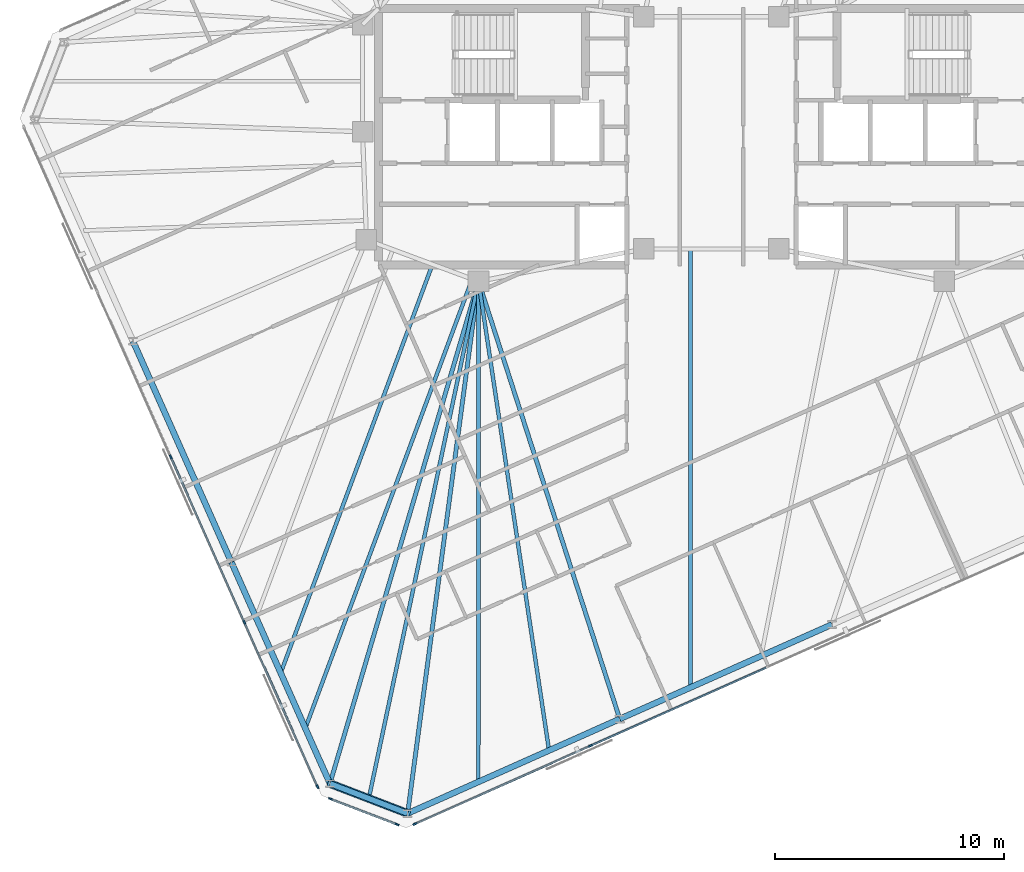
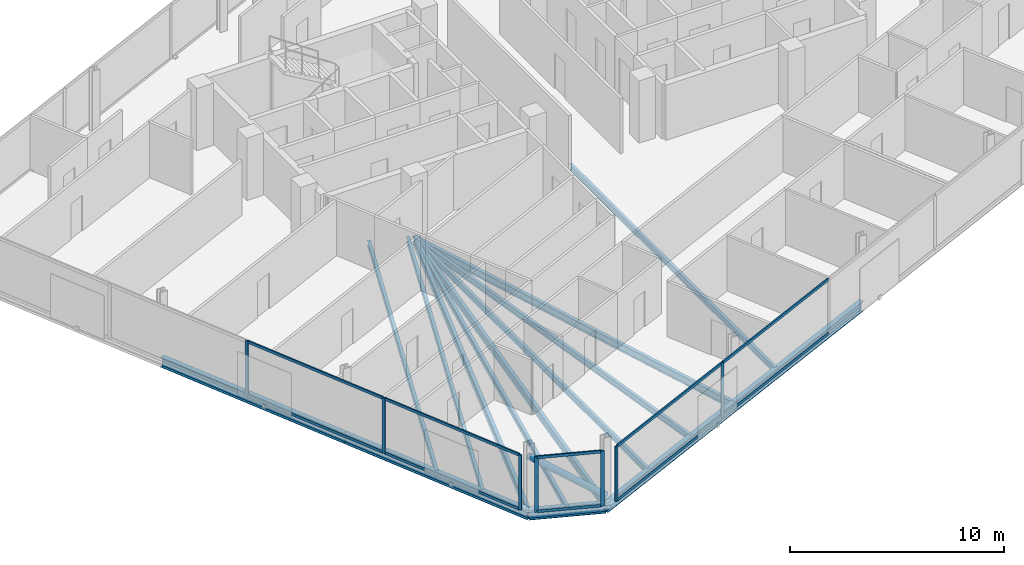
# One storey, part 5 of 19: 18 members, 14 beams, 3 elements without a shape of their own.
"""IFC4 building model written with IfcOpenShell, lengths in metres."""

from ifc_helpers import new_model, si_unit, direction, frame, origin, origin_2d, place, context, subcontext, project, spatial, rectangle, hollow_circle, i_section, extrude, material, material_profile, profile_set, type_object, element, aggregate, save


model = new_model("IFC4")

# Units and contexts
model_context = context("Model", 3, precision=1e-05, world=origin(), true_north=direction((0.0, 1.0)))
body_context = subcontext(model_context, "Body", "Model", "MODEL_VIEW")
ifc_project = project(units=[si_unit("LENGTHUNIT", "METRE"), si_unit("AREAUNIT", "SQUARE_METRE"), si_unit("VOLUMEUNIT", "CUBIC_METRE"), si_unit("PLANEANGLEUNIT", "RADIAN"), si_unit("MASSUNIT", "GRAM", prefix="KILO")], contexts=[model_context])

# Site, building, storey
site_placement = place(None, origin())
site = spatial("IfcSite", under=ifc_project, at=site_placement, CompositionType="ELEMENT")
building_placement = place(site_placement, origin())
building = spatial("IfcBuilding", under=site, at=building_placement, Name="Menara Jurai Vektor", CompositionType="ELEMENT")
storey_placement = place(building_placement, frame((0.0, 0.0, 302.0)))
storey = spatial("IfcBuildingStorey", under=building, at=storey_placement, Name="L81", CompositionType="ELEMENT", Elevation=302.0)

# Curtain wall, members
ifc_material_1 = material(Name="Anodised Pale Aluminium & Low-E Double Glazing", Category="aluminium")
curtain_wall_type = type_object("IfcCurtainWallType", Name="CW-BLK5", PredefinedType="NOTDEFINED", material=ifc_material_1)
curtain_wall_1_placement = place(storey_placement, origin())
curtain_wall_1 = element("IfcCurtainWall", 1, at=curtain_wall_1_placement, inside=storey, type_object=curtain_wall_type, Name="Unitised Curtain Wall L81 F01", PredefinedType="NOTDEFINED")
ifc_material_2 = material(Name="Anodised Pale Aluminium Mullion", Category="aluminium")
ifc_material_profile_1 = material_profile(ifc_material_2, rectangle(XDim=0.074951171875, YDim=0.175048828125, at=origin_2d()), Name="ALU MUL 75x175")
ifc_profile_set_1 = profile_set([ifc_material_profile_1], Name="Anodised Pale Aluminium Mullion")
member_type_1 = type_object("IfcMemberType", Name="CW-BLK5-MUL", PredefinedType="MULLION", material=ifc_profile_set_1)
member_1_placement = place(storey_placement, frame((-12.96875, -30.04052734375, 0.0), z_axis=(0.0, 0.0, 1.0), x_axis=(-0.406735498684, 0.913545967158, 0.0)))
member_1 = element("IfcMember", 2, at=member_1_placement, type_object=member_type_1, Name="CW-05 mullion 1", PredefinedType="MULLION", context=body_context, shape_type="SweptSolid", body=[
    extrude(rectangle(XDim=0.074951171875, YDim=0.175048828125, at=origin_2d()), origin(), (0.0, 0.0, 1.0), 3.14501953125),
])
member_2_placement = place(storey_placement, frame((-5.292724609375, -26.623046875, 0.0), z_axis=(0.0, 0.0, 1.0), x_axis=(-0.406735498684, 0.913545967158, 0.0)))
member_2 = element("IfcMember", 3, at=member_2_placement, type_object=member_type_1, Name="CW-05 mullion 2", PredefinedType="MULLION", context=body_context, shape_type="SweptSolid", body=[
    extrude(rectangle(XDim=0.074951171875, YDim=0.175048828125, at=origin_2d()), origin(), (0.0, 0.0, 1.0), 3.14501953125),
])

curtain_wall_2_placement = place(storey_placement, origin())
curtain_wall_2 = element("IfcCurtainWall", 4, at=curtain_wall_2_placement, inside=storey, type_object=curtain_wall_type, Name="Unitised Curtain Wall L81 F07", PredefinedType="NOTDEFINED")
member_3_placement = place(storey_placement, frame((-23.635986328125, -13.991943359375, 0.0), z_axis=(0.0, 0.0, 1.0), x_axis=(0.913546127706, 0.406735138086, 0.0)))
member_3 = element("IfcMember", 5, at=member_3_placement, type_object=member_type_1, Name="CW-05 mullion 3", PredefinedType="MULLION", context=body_context, shape_type="SweptSolid", body=[
    extrude(rectangle(XDim=0.074951171875, YDim=0.175048828125, at=origin_2d()), origin(), (0.0, 0.0, 1.0), 3.14501953125),
])
member_4_placement = place(storey_placement, frame((-20.418701171875, -21.21826171875, 0.0), z_axis=(0.0, 0.0, 1.0), x_axis=(0.913546127706, 0.406735138086, 0.0)))
member_4 = element("IfcMember", 6, at=member_4_placement, type_object=member_type_1, Name="CW-05 mullion 4", PredefinedType="MULLION", context=body_context, shape_type="SweptSolid", body=[
    extrude(rectangle(XDim=0.074951171875, YDim=0.175048828125, at=origin_2d()), origin(), (0.0, 0.0, 1.0), 3.14501953125),
])
member_5_placement = place(storey_placement, frame((-17.216796875, -28.41015625, 0.0), z_axis=(0.0, 0.0, 1.0), x_axis=(0.913546127706, 0.406735138086, 0.0)))
member_5 = element("IfcMember", 7, at=member_5_placement, type_object=member_type_1, Name="CW-05 mullion 5", PredefinedType="MULLION", context=body_context, shape_type="SweptSolid", body=[
    extrude(rectangle(XDim=0.074951171875, YDim=0.175048828125, at=origin_2d()), origin(), (0.0, 0.0, 1.0), 3.14501953125),
])

curtain_wall_3_placement = place(storey_placement, origin())
curtain_wall_3 = element("IfcCurtainWall", 8, at=curtain_wall_3_placement, inside=storey, type_object=curtain_wall_type, Name="Unitised Curtain Wall L81 F08", PredefinedType="NOTDEFINED")
member_6_placement = place(storey_placement, frame((-16.656982421875, -28.94091796875, 0.0), z_axis=(0.0, 0.0, 1.0), x_axis=(0.358373766287, 0.933578193639, 0.0)))
member_6 = element("IfcMember", 9, at=member_6_placement, type_object=member_type_1, Name="CW-05 mullion 1", PredefinedType="MULLION", context=body_context, shape_type="SweptSolid", body=[
    extrude(rectangle(XDim=0.074951171875, YDim=0.175048828125, at=origin_2d()), origin(), (0.0, 0.0, 1.0), 3.14501953125),
])
member_7_placement = place(storey_placement, frame((-13.739990234375, -30.060791015625, 0.0), z_axis=(0.0, 0.0, 1.0), x_axis=(0.358373766287, 0.933578193639, 0.0)))
member_7 = element("IfcMember", 10, at=member_7_placement, type_object=member_type_1, Name="CW-05 mullion 2", PredefinedType="MULLION", context=body_context, shape_type="SweptSolid", body=[
    extrude(rectangle(XDim=0.074951171875, YDim=0.175048828125, at=origin_2d()), origin(), (0.0, 0.0, 1.0), 3.14501953125),
])

# Member
ifc_material_3 = material(Name="Anodised Pale Aluminium Transom", Category="aluminium")
ifc_material_profile_2 = material_profile(ifc_material_3, rectangle(XDim=0.074951171875, YDim=0.155029296875, at=origin_2d()), Name="ALU TRN 75x155")
ifc_profile_set_2 = profile_set([ifc_material_profile_2], Name="Anodised Pale Aluminium Transom")
member_type_2 = type_object("IfcMemberType", Name="CW-BLK5-TRN", PredefinedType="USERDEFINED", material=ifc_profile_set_2)
member_8_placement = place(storey_placement, frame((-12.9345703125, -30.025390625, 0.03759765625), z_axis=(0.913542963736, 0.406742244436, 0.0), x_axis=(-0.406742244436, 0.913542963736, 0.0)))
member_8 = element("IfcMember", 11, at=member_8_placement, type_object=member_type_2, Name="CW-05 transom 1.1", ObjectType="TRANSOM", PredefinedType="USERDEFINED", context=body_context, shape_type="SweptSolid", body=[
    extrude(rectangle(XDim=0.074951171875, YDim=0.155029296875, at=origin_2d()), origin(), (0.0, 0.0, 1.0), 8.32763671875),
])

member_9_placement = place(storey_placement, frame((-12.9345703125, -30.025390625, 3.107421875), z_axis=(0.913542963736, 0.406742244436, 0.0), x_axis=(-0.406742244436, 0.913542963736, 0.0)))
member_9 = element("IfcMember", 12, at=member_9_placement, type_object=member_type_2, Name="CW-05 transom 1.2", ObjectType="TRANSOM", PredefinedType="USERDEFINED", context=body_context, shape_type="SweptSolid", body=[
    extrude(rectangle(XDim=0.074951171875, YDim=0.155029296875, at=origin_2d()), origin(), (0.0, 0.0, 1.0), 8.32763671875),
])

member_10_placement = place(storey_placement, frame((-5.25830078125, -26.60791015625, 0.03759765625), z_axis=(0.913541747007, 0.406744977198, 0.0), x_axis=(-0.406744977198, 0.913541747007, 0.0)))
member_10 = element("IfcMember", 13, at=member_10_placement, type_object=member_type_2, Name="CW-05 transom 2.1", ObjectType="TRANSOM", PredefinedType="USERDEFINED", context=body_context, shape_type="SweptSolid", body=[
    extrude(rectangle(XDim=0.074951171875, YDim=0.155029296875, at=origin_2d()), origin(), (0.0, 0.0, 1.0), 8.36474609375),
])

member_11_placement = place(storey_placement, frame((-5.25830078125, -26.60791015625, 3.107421875), z_axis=(0.913541747007, 0.406744977198, 0.0), x_axis=(-0.406744977198, 0.913541747007, 0.0)))
member_11 = element("IfcMember", 14, at=member_11_placement, type_object=member_type_2, Name="CW-05 transom 2.2", ObjectType="TRANSOM", PredefinedType="USERDEFINED", context=body_context, shape_type="SweptSolid", body=[
    extrude(rectangle(XDim=0.074951171875, YDim=0.155029296875, at=origin_2d()), origin(), (0.0, 0.0, 1.0), 8.36474609375),
])

aggregate(curtain_wall_1, [member_1, member_2, member_8, member_9, member_10, member_11])

member_12_placement = place(storey_placement, frame((-23.620849609375, -14.0263671875, 0.03759765625), z_axis=(0.40674264085, -0.913542787238, 0.0), x_axis=(0.913542787238, 0.40674264085, 0.0)))
member_12 = element("IfcMember", 15, at=member_12_placement, type_object=member_type_2, Name="CW-05 transom 3.1", ObjectType="TRANSOM", PredefinedType="USERDEFINED", context=body_context, shape_type="SweptSolid", body=[
    extrude(rectangle(XDim=0.074951171875, YDim=0.155029296875, at=origin_2d()), origin(), (0.0, 0.0, 1.0), 7.8349609375),
])

member_13_placement = place(storey_placement, frame((-23.620849609375, -14.0263671875, 3.107421875), z_axis=(0.40674264085, -0.913542787238, 0.0), x_axis=(0.913542787238, 0.40674264085, 0.0)))
member_13 = element("IfcMember", 16, at=member_13_placement, type_object=member_type_2, Name="CW-05 transom 3.2", ObjectType="TRANSOM", PredefinedType="USERDEFINED", context=body_context, shape_type="SweptSolid", body=[
    extrude(rectangle(XDim=0.074951171875, YDim=0.155029296875, at=origin_2d()), origin(), (0.0, 0.0, 1.0), 7.8349609375),
])

member_14_placement = place(storey_placement, frame((-20.403564453125, -21.25244140625, 0.03759765625), z_axis=(0.406751345283, -0.913538911656, 0.0), x_axis=(0.913538911656, 0.406751345283, 0.0)))
member_14 = element("IfcMember", 17, at=member_14_placement, type_object=member_type_2, Name="CW-05 transom 4.1", ObjectType="TRANSOM", PredefinedType="USERDEFINED", context=body_context, shape_type="SweptSolid", body=[
    extrude(rectangle(XDim=0.074951171875, YDim=0.155029296875, at=origin_2d()), origin(), (0.0, 0.0, 1.0), 7.79736328125),
])

member_15_placement = place(storey_placement, frame((-20.403564453125, -21.25244140625, 3.107421875), z_axis=(0.406751345283, -0.913538911656, 0.0), x_axis=(0.913538911656, 0.406751345283, 0.0)))
member_15 = element("IfcMember", 18, at=member_15_placement, type_object=member_type_2, Name="CW-05 transom 4.2", ObjectType="TRANSOM", PredefinedType="USERDEFINED", context=body_context, shape_type="SweptSolid", body=[
    extrude(rectangle(XDim=0.074951171875, YDim=0.155029296875, at=origin_2d()), origin(), (0.0, 0.0, 1.0), 7.79736328125),
])

aggregate(curtain_wall_2, [member_3, member_4, member_5, member_12, member_13, member_14, member_15])

member_16_placement = place(storey_placement, frame((-16.6220703125, -28.95458984375, 0.03759765625), z_axis=(0.933597094911, -0.358324523823, 0.0), x_axis=(0.358324523823, 0.933597094911, 0.0)))
member_16 = element("IfcMember", 19, at=member_16_placement, type_object=member_type_2, Name="CW-05 transom 1.1", ObjectType="TRANSOM", PredefinedType="USERDEFINED", context=body_context, shape_type="SweptSolid", body=[
    extrude(rectangle(XDim=0.074951171875, YDim=0.155029296875, at=origin_2d()), origin(), (0.0, 0.0, 1.0), 3.049560546875),
])

member_17_placement = place(storey_placement, frame((-16.6220703125, -28.95458984375, 3.107421875), z_axis=(0.933597094911, -0.358324523823, 0.0), x_axis=(0.358324523823, 0.933597094911, 0.0)))
member_17 = element("IfcMember", 20, at=member_17_placement, type_object=member_type_2, Name="CW-05 transom 1.2", ObjectType="TRANSOM", PredefinedType="USERDEFINED", context=body_context, shape_type="SweptSolid", body=[
    extrude(rectangle(XDim=0.074951171875, YDim=0.155029296875, at=origin_2d()), origin(), (0.0, 0.0, 1.0), 3.049560546875),
])

aggregate(curtain_wall_3, [member_6, member_7, member_16, member_17])

# Beams
ifc_material_4 = material(Name="Steel S355", Category="steel")
ifc_material_profile_3 = material_profile(ifc_material_4, i_section(OverallWidth=0.18505859375, OverallDepth=0.429931640625, WebThickness=0.010986328125, FlangeThickness=0.01806640625, at=origin_2d()), Name="PG 430x185x76")
ifc_profile_set_3 = profile_set([ifc_material_profile_3], Name="Steel S355")
beam_type_1 = type_object("IfcBeamType", Name="STR-BM-430", PredefinedType="BEAM", material=ifc_profile_set_3)
beam_1_placement = place(storey_placement, frame((-13.279541015625, -29.576904296875, -0.43994140625), z_axis=(0.132109192855, 0.991235169454, 0.0), x_axis=(-0.991235169454, 0.132109192855, 0.0)))
element("IfcBeam", 21, at=beam_1_placement, inside=storey, type_object=beam_type_1, Name="Radial Floor Girder L81-S1", PredefinedType="BEAM", context=body_context, shape_type="SweptSolid", body=[
    extrude(i_section(OverallWidth=0.18505859375, OverallDepth=0.429931640625, WebThickness=0.010986328125, FlangeThickness=0.01806640625, at=origin_2d()), origin(), (0.0, 0.0, 1.0), 23.46240234375),
])
beam_2_placement = place(storey_placement, frame((-4.006103515625, -25.4482421875, -0.43994140625), z_axis=(-0.307158217721, 0.95165846252, 0.0), x_axis=(-0.95165846252, -0.307158217721, 0.0)))
element("IfcBeam", 22, at=beam_2_placement, inside=storey, type_object=beam_type_1, Name="Radial Floor Girder L81-S2", PredefinedType="BEAM", context=body_context, shape_type="SweptSolid", body=[
    extrude(i_section(OverallWidth=0.18505859375, OverallDepth=0.429931640625, WebThickness=0.010986328125, FlangeThickness=0.01806640625, at=origin_2d()), origin(), (0.0, 0.0, 1.0), 20.099853515625),
])
beam_3_placement = place(storey_placement, frame((-16.675537109375, -28.2734375, -0.43994140625), z_axis=(0.283723047838, 0.958906268686, 0.0), x_axis=(-0.958906268686, 0.283723047838, 0.0)))
element("IfcBeam", 23, at=beam_3_placement, inside=storey, type_object=beam_type_1, Name="Radial Floor Girder L81-W4", PredefinedType="BEAM", context=body_context, shape_type="SweptSolid", body=[
    extrude(i_section(OverallWidth=0.18505859375, OverallDepth=0.429931640625, WebThickness=0.010986328125, FlangeThickness=0.01806640625, at=origin_2d()), origin(), (0.0, 0.0, 1.0), 22.894287109375),
])

# Member
ifc_material_5 = material(Name="Steel S460", Category="steel")
ifc_material_profile_4 = material_profile(ifc_material_5, hollow_circle(Radius=0.177734375, WallThickness=0.01611328125, at=origin_2d()), Name="CHS 355.6x16")
ifc_profile_set_4 = profile_set([ifc_material_profile_4], Name="Steel S460")
member_type_3 = type_object("IfcMemberType", Name="STR-BR-356", PredefinedType="BRACE", material=ifc_profile_set_4)
member_18_placement = place(storey_placement, frame((-13.279541015625, -29.576904296875, 0.14990234375), z_axis=(-0.755077129754, 0.289817167201, 0.588102489127), x_axis=(-0.358335850414, -0.933592747566, 0.0)))
element("IfcMember", 24, at=member_18_placement, inside=storey, type_object=member_type_3, Name="Exoskeleton Corner Brace L81-4", PredefinedType="BRACE", context=body_context, shape_type="SweptSolid", body=[
    extrude(hollow_circle(Radius=0.177734375, WallThickness=0.01611328125, at=origin_2d()), origin(), (0.0, 0.0, 1.0), 4.49755859375),
])

# Beams
ifc_material_profile_5 = material_profile(ifc_material_4, i_section(OverallWidth=0.1650390625, OverallDepth=0.330078125, WebThickness=0.009033203125, FlangeThickness=0.013916015625, at=origin_2d()), Name="PG 330x165x46")
ifc_profile_set_5 = profile_set([ifc_material_profile_5], Name="Steel S355")
beam_type_2 = type_object("IfcBeamType", Name="STR-JS-330", PredefinedType="JOIST", material=ifc_profile_set_5)
beam_4_placement = place(storey_placement, frame((-10.188232421875, -28.20068359375, -0.389892578125), z_axis=(0.000379366876, 0.99999992804, 0.0), x_axis=(-0.99999992804, 0.000379366876, 0.0)))
element("IfcBeam", 25, at=beam_4_placement, inside=storey, type_object=beam_type_2, Name="Radial Secondary Floor Joist L81-JS01", PredefinedType="JOIST", context=body_context, shape_type="SweptSolid", body=[
    extrude(i_section(OverallWidth=0.1650390625, OverallDepth=0.330078125, WebThickness=0.009033203125, FlangeThickness=0.013916015625, at=origin_2d()), origin(), (0.0, 0.0, 1.0), 21.880615234375),
])
beam_5_placement = place(storey_placement, frame((-7.09716796875, -26.824462890625, -0.389892578125), z_axis=(-0.148675540239, 0.988886031722, 0.0), x_axis=(-0.988886031722, -0.148675540239, 0.0)))
element("IfcBeam", 26, at=beam_5_placement, inside=storey, type_object=beam_type_2, Name="Radial Secondary Floor Joist L81-JS02", PredefinedType="JOIST", context=body_context, shape_type="SweptSolid", body=[
    extrude(i_section(OverallWidth=0.1650390625, OverallDepth=0.330078125, WebThickness=0.009033203125, FlangeThickness=0.013916015625, at=origin_2d()), origin(), (0.0, 0.0, 1.0), 20.73486328125),
])
beam_6_placement = place(storey_placement, frame((-0.914794921875, -24.072021484375, -0.389892578125), z_axis=(0.0, 1.0, 0.0), x_axis=(-1.0, 0.0, 0.0)))
element("IfcBeam", 27, at=beam_6_placement, inside=storey, type_object=beam_type_2, Name="Radial Secondary Floor Joist L81-JS03", PredefinedType="JOIST", context=body_context, shape_type="SweptSolid", body=[
    extrude(i_section(OverallWidth=0.1650390625, OverallDepth=0.330078125, WebThickness=0.009033203125, FlangeThickness=0.013916015625, at=origin_2d()), origin(), (0.0, 0.0, 1.0), 19.172119140625),
])
beam_7_placement = place(storey_placement, frame((-18.828125, -23.4384765625, -0.389892578125), z_axis=(0.348177845571, 0.937428497462, 0.0), x_axis=(-0.937428497462, 0.348177845571, 0.0)))
element("IfcBeam", 28, at=beam_7_placement, inside=storey, type_object=beam_type_2, Name="Radial Secondary Floor Joist L81-JS29", PredefinedType="JOIST", context=body_context, shape_type="SweptSolid", body=[
    extrude(i_section(OverallWidth=0.1650390625, OverallDepth=0.330078125, WebThickness=0.009033203125, FlangeThickness=0.013916015625, at=origin_2d()), origin(), (0.0, 0.0, 1.0), 19.05859375),
])
beam_8_placement = place(storey_placement, frame((-17.751953125, -25.85595703125, -0.389892578125), z_axis=(0.348185651823, 0.937425598042, 0.0), x_axis=(-0.937425598042, 0.348185651823, 0.0)))
element("IfcBeam", 29, at=beam_8_placement, inside=storey, type_object=beam_type_2, Name="Radial Secondary Floor Joist L81-JS30", PredefinedType="JOIST", context=body_context, shape_type="SweptSolid", body=[
    extrude(i_section(OverallWidth=0.1650390625, OverallDepth=0.330078125, WebThickness=0.009033203125, FlangeThickness=0.013916015625, at=origin_2d()), origin(), (0.0, 0.0, 1.0), 20.949951171875),
])
beam_9_placement = place(storey_placement, frame((-14.9775390625, -28.92529296875, -0.389892578125), z_axis=(0.207610208592, 0.978211634202, 0.0), x_axis=(-0.978211634202, 0.207610208592, 0.0)))
element("IfcBeam", 30, at=beam_9_placement, inside=storey, type_object=beam_type_2, Name="Radial Secondary Floor Joist L81-JS31", PredefinedType="JOIST", context=body_context, shape_type="SweptSolid", body=[
    extrude(i_section(OverallWidth=0.1650390625, OverallDepth=0.330078125, WebThickness=0.009033203125, FlangeThickness=0.013916015625, at=origin_2d()), origin(), (0.0, 0.0, 1.0), 23.108642578125),
])
ifc_material_profile_6 = material_profile(ifc_material_4, i_section(OverallWidth=0.260009765625, OverallDepth=0.570068359375, WebThickness=0.013916015625, FlangeThickness=0.02392578125, at=origin_2d()), Name="PG 570x260x145")
ifc_profile_set_6 = profile_set([ifc_material_profile_6], Name="Steel S355")
beam_type_3 = type_object("IfcBeamType", Name="STR-SP-570", PredefinedType="SPANDREL", material=ifc_profile_set_6)
beam_10_placement = place(storey_placement, frame((-13.279541015625, -29.576904296875, -0.510009765625), z_axis=(0.913550519143, 0.406725274569, 0.0), x_axis=(-0.406725274569, 0.913550519143, 0.0)))
element("IfcBeam", 31, at=beam_10_placement, inside=storey, type_object=beam_type_3, Name="Exoskeleton Spandrel Beam L81-01", PredefinedType="SPANDREL", context=body_context, shape_type="SweptSolid", body=[
    extrude(i_section(OverallWidth=0.260009765625, OverallDepth=0.570068359375, WebThickness=0.013916015625, FlangeThickness=0.02392578125, at=origin_2d()), origin(), (0.0, 0.0, 1.0), 10.15087890625),
])
beam_11_placement = place(storey_placement, frame((-4.006103515625, -25.4482421875, -0.510009765625), z_axis=(0.913545561407, 0.406736410017, 0.0), x_axis=(-0.406736410017, 0.913545561407, 0.0)))
element("IfcBeam", 32, at=beam_11_placement, inside=storey, type_object=beam_type_3, Name="Exoskeleton Spandrel Beam L81-02", PredefinedType="SPANDREL", context=body_context, shape_type="SweptSolid", body=[
    extrude(i_section(OverallWidth=0.260009765625, OverallDepth=0.570068359375, WebThickness=0.013916015625, FlangeThickness=0.02392578125, at=origin_2d()), origin(), (0.0, 0.0, 1.0), 10.1513671875),
])
for number, where, z_axis, x_axis, name in (
    (33, (-25.286376953125, -8.933349609375, -0.510009765625), (0.406744000616, -0.913542181819, 0.0), (0.913542181819, 0.406744000616, 0.0), "Exoskeleton Spandrel Beam L81-18"),
    (34, (-20.98095703125, -18.603271484375, -0.510009765625), (0.40673543049, -0.91354599752, 0.0), (0.91354599752, 0.40673543049, 0.0), "Exoskeleton Spandrel Beam L81-19"),
):
    element("IfcBeam", number, at=place(storey_placement, frame(where, z_axis=z_axis, x_axis=x_axis)), inside=storey, type_object=beam_type_3, Name=name, PredefinedType="SPANDREL", context=body_context, shape_type="SweptSolid", body=[
        extrude(i_section(OverallWidth=0.260009765625, OverallDepth=0.570068359375, WebThickness=0.013916015625, FlangeThickness=0.02392578125, at=origin_2d()), origin(), (0.0, 0.0, 1.0), 10.585205078125),
    ])
beam_12_placement = place(storey_placement, frame((-16.675537109375, -28.2734375, -0.510009765625), z_axis=(0.933592747566, -0.358335850414, 0.0), x_axis=(0.358335850414, 0.933592747566, 0.0)))
element("IfcBeam", 35, at=beam_12_placement, inside=storey, type_object=beam_type_3, Name="Exoskeleton Spandrel Beam L81-20", PredefinedType="SPANDREL", context=body_context, shape_type="SweptSolid", body=[
    extrude(i_section(OverallWidth=0.260009765625, OverallDepth=0.570068359375, WebThickness=0.013916015625, FlangeThickness=0.02392578125, at=origin_2d()), origin(), (0.0, 0.0, 1.0), 3.637451171875),
])

save(model, "model.ifc")
